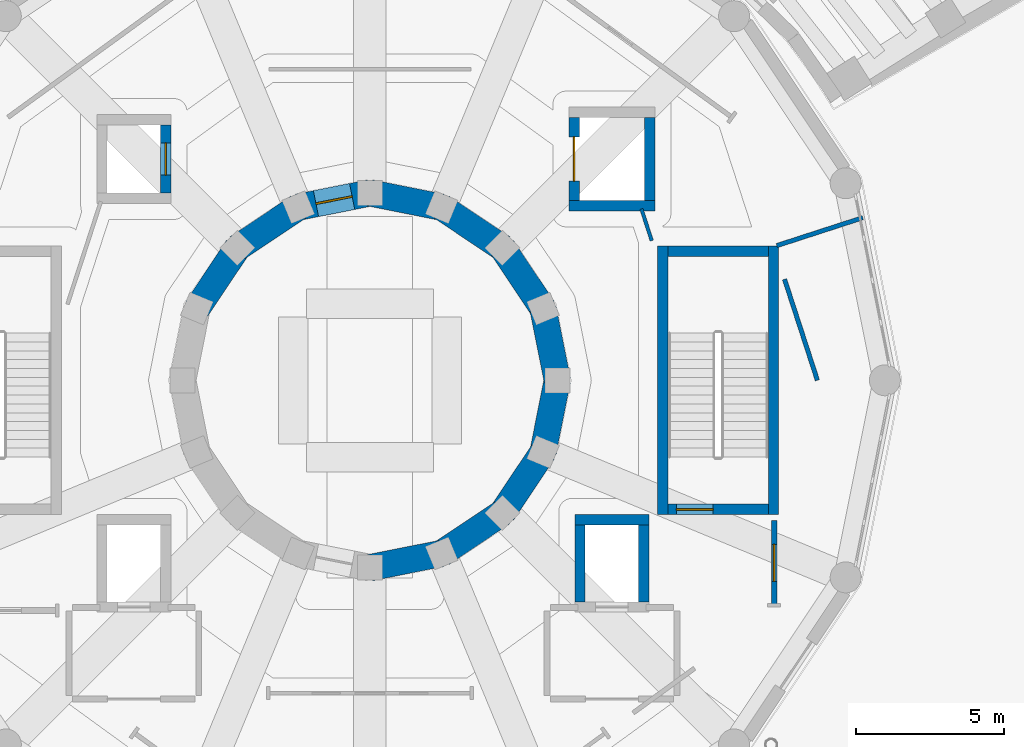
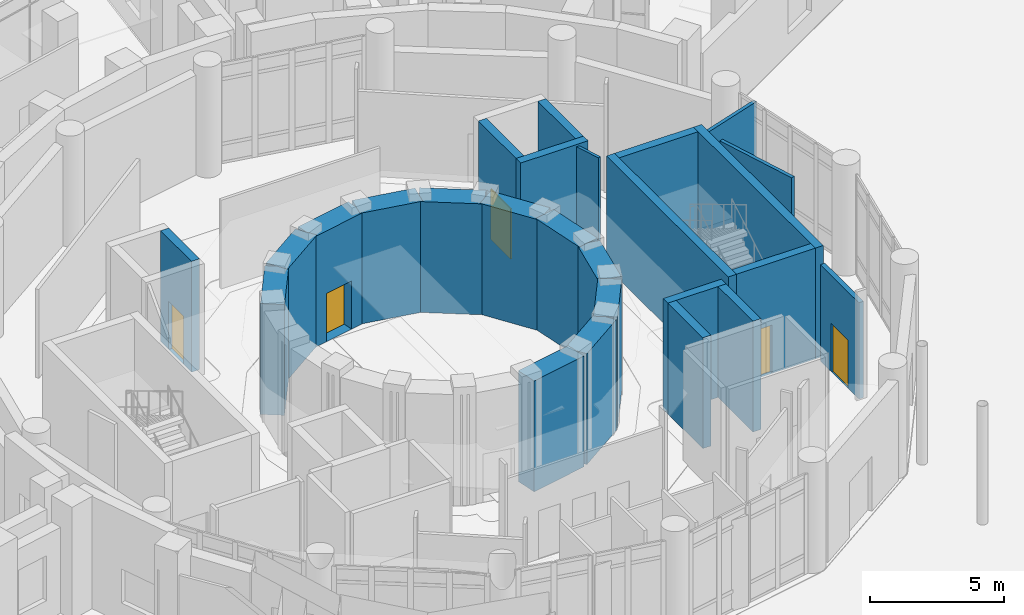
# One storey, part 45 of 74: 26 walls, 5 doors, 5 openings.
"""IFC4 building model written with IfcOpenShell, lengths in metres."""

from ifc_helpers import new_model, si_unit, direction, frame, frame_2d, origin, place, context, subcontext, project, spatial, rectangle, extrude, material, layer, layer_set, type_object, element, fill, save


model = new_model("IFC4")

# Units and contexts
model_context = context("Model", 3, precision=1e-05, world=origin(), true_north=direction((0.0, 1.0)))
body_context = subcontext(model_context, "Body", "Model", "MODEL_VIEW")
ifc_project = project(units=[si_unit("LENGTHUNIT", "METRE"), si_unit("AREAUNIT", "SQUARE_METRE"), si_unit("VOLUMEUNIT", "CUBIC_METRE"), si_unit("PLANEANGLEUNIT", "RADIAN"), si_unit("MASSUNIT", "GRAM", prefix="KILO")], contexts=[model_context])

# Site, building, storey
site_placement = place(None, origin())
site = spatial("IfcSite", under=ifc_project, at=site_placement, CompositionType="ELEMENT")
building_placement = place(site_placement, origin())
building = spatial("IfcBuilding", under=site, at=building_placement, Name="Soyqirgoq Riverine Aquarium", CompositionType="ELEMENT")
storey_placement = place(building_placement, origin())
storey = spatial("IfcBuildingStorey", under=building, at=storey_placement, Name="L01", CompositionType="ELEMENT", Elevation=0.0)

# Walls
ifc_material_1 = material(Name="Concrete C40/50", Category="concrete")
ifc_layer_1 = layer(ifc_material_1, 0.35009765625)
ifc_layer_set_1 = layer_set([ifc_layer_1], Name="Concrete C40/50")
wall_type_1 = type_object("IfcWallType", Name="CoreShearWall_350_C40", PredefinedType="SHEAR", material=ifc_layer_set_1)
wall_1_placement = place(storey_placement, frame((69.675048828125, 52.449951171875, 0.0), z_axis=(0.0, 0.0, 1.0), x_axis=(0.0, 1.0, 0.0)))
element("IfcWall", 1, at=wall_1_placement, inside=storey, type_object=wall_type_1, Name="CORE-1 L01 Stair Core Shear Wall SIDE1", PredefinedType="SHEAR", context=body_context, shape_type="SweptSolid", body=[
    extrude(rectangle(XDim=9.10009765625, YDim=0.35009765625, at=frame_2d((4.550048828125, 0.0))), origin(), (0.0, 0.0, 1.0), 5.050048828125),
])
wall_2_placement = place(storey_placement, frame((69.5, 61.375, 0.0), z_axis=(0.0, 0.0, 1.0), x_axis=(-1.0, 0.0, 0.0)))
element("IfcWall", 2, at=wall_2_placement, inside=storey, type_object=wall_type_1, Name="CORE-1 L01 Stair Core Shear Wall BACK", PredefinedType="SHEAR", context=body_context, shape_type="SweptSolid", body=[
    extrude(rectangle(XDim=3.39990234375, YDim=0.35009765625, at=frame_2d((1.699951171875, 0.0))), origin(), (0.0, 0.0, 1.0), 5.050048828125),
])
wall_3_placement = place(storey_placement, frame((65.925048828125, 61.550048828125, 0.0), z_axis=(0.0, 0.0, 1.0), x_axis=(0.0, -1.0, 0.0)))
element("IfcWall", 3, at=wall_3_placement, inside=storey, type_object=wall_type_1, Name="CORE-1 L01 Stair Core Shear Wall SIDE2", PredefinedType="SHEAR", context=body_context, shape_type="SweptSolid", body=[
    extrude(rectangle(XDim=9.10009765625, YDim=0.35009765625, at=frame_2d((4.550048828125, 0.0))), origin(), (0.0, 0.0, 1.0), 5.050048828125),
])

# Wall, opening, door
wall_4_placement = place(storey_placement, frame((66.10009765625, 52.625, 0.0), z_axis=(0.0, 0.0, 1.0), x_axis=(1.0, 0.0, 0.0)))
wall_4 = element("IfcWall", 4, at=wall_4_placement, inside=storey, type_object=wall_type_1, Name="CORE-1 L01 Stair Core Shear Wall FRONT", PredefinedType="SHEAR", context=body_context, shape_type="SweptSolid", body=[
    extrude(rectangle(XDim=3.39990234375, YDim=0.35009765625, at=frame_2d((1.699951171875, 0.0))), origin(), (0.0, 0.0, 1.0), 5.050048828125),
])
opening_1_placement = place(wall_4_placement, frame((0.280029296875, 0.0, 0.0)))
opening_1 = element("IfcOpeningElement", 5, at=opening_1_placement, cuts=wall_4, Name="Opening FD-01", PredefinedType="OPENING", context=body_context, shape_type="SweptSolid", body=[
    extrude(rectangle(XDim=1.25, YDim=2.199951171875, at=frame_2d((0.625, 1.10009765625))), frame((0.0, 0.18505859375, 0.0), z_axis=(0.0, -1.0, 0.0), x_axis=(1.0, 0.0, 0.0)), (0.0, 0.0, 1.0), 0.3701171875),
])
ifc_material_2 = material(Name="Galvanised steel fire-resisting stair door", Category="steel")
door_type_1 = type_object("IfcDoorType", Name="StairFireDoor_1250x2200_EI90", OperationType="NOTDEFINED", PredefinedType="DOOR", material=ifc_material_2)
door_1_placement = place(opening_1_placement, origin())
door_1 = element("IfcDoor", 6, at=door_1_placement, inside=storey, type_object=door_type_1, Name="DR-ST-1-L01 ST-1 L01 Fire-Rated Stairwell Door", OperationType="SINGLE_SWING_RIGHT", OverallHeight=2.199951171875, OverallWidth=1.25, PredefinedType="DOOR", context=body_context, shape_type="SweptSolid", body=[
    extrude(rectangle(XDim=1.25, YDim=2.199951171875, at=frame_2d((0.625, 1.10009765625))), frame((0.0, 0.02490234375, 0.0), z_axis=(0.0, -1.0, 0.0), x_axis=(1.0, 0.0, 0.0)), (0.0, 0.0, 1.0), 0.050048828125),
])
fill(opening_1, door_1)

# Walls
wall_5_placement = place(storey_placement, frame((65.280029296875, 49.4951171875, 0.0), z_axis=(0.0, 0.0, 1.0), x_axis=(0.0, 1.0, 0.0)))
element("IfcWall", 7, at=wall_5_placement, inside=storey, type_object=wall_type_1, Name="Lift FFL-1 Shaft Wall L01 2", PredefinedType="SHEAR", context=body_context, shape_type="SweptSolid", body=[
    extrude(rectangle(XDim=2.60986328125, YDim=0.35009765625, at=frame_2d((1.304931640625, 0.0))), origin(), (0.0, 0.0, 1.0), 5.050048828125),
])
wall_6_placement = place(storey_placement, frame((65.455078125, 52.280029296875, 0.0), z_axis=(0.0, 0.0, 1.0), x_axis=(-1.0, 0.0, 0.0)))
element("IfcWall", 8, at=wall_6_placement, inside=storey, type_object=wall_type_1, Name="Lift FFL-1 Shaft Wall L01 3", PredefinedType="SHEAR", context=body_context, shape_type="SweptSolid", body=[
    extrude(rectangle(XDim=2.510009765625, YDim=0.35009765625, at=frame_2d((1.2548828125, 0.0))), origin(), (0.0, 0.0, 1.0), 5.050048828125),
])
wall_7_placement = place(storey_placement, frame((63.1201171875, 52.10498046875, 0.0), z_axis=(0.0, 0.0, 1.0), x_axis=(0.0, -1.0, 0.0)))
element("IfcWall", 9, at=wall_7_placement, inside=storey, type_object=wall_type_1, Name="Lift FFL-1 Shaft Wall L01 4", PredefinedType="SHEAR", context=body_context, shape_type="SweptSolid", body=[
    extrude(rectangle(XDim=2.60986328125, YDim=0.35009765625, at=frame_2d((1.304931640625, 0.0))), origin(), (0.0, 0.0, 1.0), 5.050048828125),
])
wall_8_placement = place(storey_placement, frame((62.7451171875, 62.919921875, 0.0), z_axis=(0.0, 0.0, 1.0), x_axis=(1.0, 0.0, 0.0)))
element("IfcWall", 10, at=wall_8_placement, inside=storey, type_object=wall_type_1, Name="Lift GL-1 Shaft Wall L01 1", PredefinedType="SHEAR", context=body_context, shape_type="SweptSolid", body=[
    extrude(rectangle(XDim=2.909912109375, YDim=0.35009765625, at=frame_2d((1.455078125, 0.0))), origin(), (0.0, 0.0, 1.0), 5.050048828125),
])
wall_9_placement = place(storey_placement, frame((65.47998046875, 63.094970703125, 0.0), z_axis=(0.0, 0.0, 1.0), x_axis=(0.0, 1.0, 0.0)))
element("IfcWall", 11, at=wall_9_placement, inside=storey, type_object=wall_type_1, Name="Lift GL-1 Shaft Wall L01 2", PredefinedType="SHEAR", context=body_context, shape_type="SweptSolid", body=[
    extrude(rectangle(XDim=2.81005859375, YDim=0.35009765625, at=frame_2d((1.405029296875, 0.0))), origin(), (0.0, 0.0, 1.0), 5.050048828125),
])

# Wall, opening, door
wall_10_placement = place(storey_placement, frame((62.919921875, 65.905029296875, 0.0), z_axis=(0.0, 0.0, 1.0), x_axis=(0.0, -1.0, 0.0)))
wall_10 = element("IfcWall", 12, at=wall_10_placement, inside=storey, type_object=wall_type_1, Name="Lift GL-1 Shaft Wall L01 4", PredefinedType="SHEAR", context=body_context, shape_type="SweptSolid", body=[
    extrude(rectangle(XDim=2.81005859375, YDim=0.35009765625, at=frame_2d((1.405029296875, 0.0))), origin(), (0.0, 0.0, 1.0), 5.050048828125),
])
opening_2_placement = place(wall_10_placement, frame((0.655029296875, 0.0, 0.0)))
opening_2 = element("IfcOpeningElement", 13, at=opening_2_placement, cuts=wall_10, Name="Opening LD-02", PredefinedType="OPENING", context=body_context, shape_type="SweptSolid", body=[
    extrude(rectangle(XDim=1.5, YDim=2.300048828125, at=frame_2d((0.75, 1.14990234375))), frame((0.0, 0.18505859375, 0.0), z_axis=(0.0, -1.0, 0.0), x_axis=(1.0, 0.0, 0.0)), (0.0, 0.0, 1.0), 0.3701171875),
])
ifc_material_3 = material(Name="Heavy-duty stainless steel bi-parting lift landing door", Category="steel")
door_type_2 = type_object("IfcDoorType", Name="GoodsLiftLandingDoor_1500x2300", OperationType="SLIDING_TO_LEFT", PredefinedType="DOOR", material=ifc_material_3)
door_2_placement = place(opening_2_placement, origin())
door_2 = element("IfcDoor", 14, at=door_2_placement, inside=storey, type_object=door_type_2, Name="LD-GL-1-L01 Lift GL-1 L01 Sliding Landing Door", OperationType="SLIDING_TO_LEFT", OverallHeight=2.300048828125, OverallWidth=1.5, PredefinedType="DOOR", context=body_context, shape_type="SweptSolid", body=[
    extrude(rectangle(XDim=1.5, YDim=2.300048828125, at=frame_2d((0.75, 1.14990234375))), frame((0.0, 0.02490234375, 0.0), z_axis=(0.0, -1.0, 0.0), x_axis=(1.0, 0.0, 0.0)), (0.0, 0.0, 1.0), 0.050048828125),
])
fill(opening_2, door_2)

wall_11_placement = place(storey_placement, frame((49.080078125, 63.344970703125, 0.0), z_axis=(0.0, 0.0, 1.0), x_axis=(0.0, 1.0, 0.0)))
wall_11 = element("IfcWall", 15, at=wall_11_placement, inside=storey, type_object=wall_type_1, Name="Lift PL-1 Shaft Wall L01 2", PredefinedType="SHEAR", context=body_context, shape_type="SweptSolid", body=[
    extrude(rectangle(XDim=2.31005859375, YDim=0.35009765625, at=frame_2d((1.155029296875, 0.0))), origin(), (0.0, 0.0, 1.0), 5.050048828125),
])
opening_3_placement = place(wall_11_placement, frame((0.60498046875, 0.0, 0.0)))
opening_3 = element("IfcOpeningElement", 16, at=opening_3_placement, cuts=wall_11, Name="Opening LD-01", PredefinedType="OPENING", context=body_context, shape_type="SweptSolid", body=[
    extrude(rectangle(XDim=1.10009765625, YDim=2.199951171875, at=frame_2d((0.550048828125, 1.10009765625))), frame((0.0, 0.18505859375, 0.0), z_axis=(0.0, -1.0, 0.0), x_axis=(1.0, 0.0, 0.0)), (0.0, 0.0, 1.0), 0.3701171875),
])
ifc_material_4 = material(Name="Brushed stainless steel telescopic lift landing door", Category="steel")
door_type_3 = type_object("IfcDoorType", Name="LiftLandingDoor_1100x2200", OperationType="SLIDING_TO_LEFT", PredefinedType="DOOR", material=ifc_material_4)
door_3_placement = place(opening_3_placement, origin())
door_3 = element("IfcDoor", 17, at=door_3_placement, inside=storey, type_object=door_type_3, Name="LD-PL-1-L01 Lift PL-1 L01 Sliding Landing Door", OperationType="SLIDING_TO_LEFT", OverallHeight=2.199951171875, OverallWidth=1.10009765625, PredefinedType="DOOR", context=body_context, shape_type="SweptSolid", body=[
    extrude(rectangle(XDim=1.10009765625, YDim=2.199951171875, at=frame_2d((0.550048828125, 1.10009765625))), frame((0.0, 0.02490234375, 0.0), z_axis=(0.0, -1.0, 0.0), x_axis=(1.0, 0.0, 0.0)), (0.0, 0.0, 1.0), 0.050048828125),
])
fill(opening_3, door_3)

# Walls
ifc_material_5 = material(Name="Waterproof concrete C45/55", Category="concrete")
ifc_layer_2 = layer(ifc_material_5, 0.89990234375)
ifc_layer_set_2 = layer_set([ifc_layer_2], Name="Waterproof concrete C45/55")
wall_type_2 = type_object("IfcWallType", Name="OceanTankWall_900_C45", PredefinedType="SHEAR", material=ifc_layer_set_2)
wall_12_placement = place(storey_placement, frame((62.35009765625, 57.0, 0.0), z_axis=(0.0, 0.0, 1.0), x_axis=(-0.195111669554, 0.980781033872, 0.0)))
element("IfcWall", 18, at=wall_12_placement, inside=storey, type_object=wall_type_2, Name="Ocean Tank Containment Wall Segment 01 L01", PredefinedType="SHEAR", context=body_context, shape_type="SweptSolid", body=[
    extrude(rectangle(XDim=2.4775390625, YDim=0.89990234375, at=frame_2d((1.23876953125, 0.0))), origin(), (0.0, 0.0, 1.0), 5.050048828125),
])
for number, where, z_axis, x_axis, name in (
    (19, (61.86669921875, 59.429931640625, 0.0), (0.0, 0.0, 1.0), (-0.55563212942, 0.831428251117, 0.0), "Ocean Tank Containment Wall Segment 02 L01"),
    (20, (60.489990234375, 61.489990234375, 0.0), (0.0, 0.0, 1.0), (-0.831428251117, 0.55563212942, 0.0), "Ocean Tank Containment Wall Segment 03 L01"),
):
    element("IfcWall", number, at=place(storey_placement, frame(where, z_axis=z_axis, x_axis=x_axis)), inside=storey, type_object=wall_type_2, Name=name, PredefinedType="SHEAR", context=body_context, shape_type="SweptSolid", body=[
        extrude(rectangle(XDim=2.477783203125, YDim=0.89990234375, at=frame_2d((1.23876953125, 0.0))), origin(), (0.0, 0.0, 1.0), 5.050048828125),
    ])
wall_13_placement = place(storey_placement, frame((58.429931640625, 62.86669921875, 0.0), z_axis=(0.0, 0.0, 1.0), x_axis=(-0.980781033872, 0.195111669554, 0.0)))
element("IfcWall", 21, at=wall_13_placement, inside=storey, type_object=wall_type_2, Name="Ocean Tank Containment Wall Segment 04 L01", PredefinedType="SHEAR", context=body_context, shape_type="SweptSolid", body=[
    extrude(rectangle(XDim=2.4775390625, YDim=0.89990234375, at=frame_2d((1.23876953125, 0.0))), origin(), (0.0, 0.0, 1.0), 5.050048828125),
])

# Wall, opening, door
wall_14_placement = place(storey_placement, frame((56.0, 63.35009765625, 0.0), z_axis=(0.0, 0.0, 1.0), x_axis=(-0.980781033872, -0.195111669554, 0.0)))
wall_14 = element("IfcWall", 22, at=wall_14_placement, inside=storey, type_object=wall_type_2, Name="Ocean Tank Containment Wall Segment 05 L01", PredefinedType="SHEAR", context=body_context, shape_type="SweptSolid", body=[
    extrude(rectangle(XDim=2.4775390625, YDim=0.89990234375, at=frame_2d((1.23876953125, 0.0))), origin(), (0.0, 0.0, 1.0), 5.050048828125),
])
opening_4_placement = place(wall_14_placement, frame((0.61376953125, 0.0, 0.0)))
opening_4 = element("IfcOpeningElement", 23, at=opening_4_placement, cuts=wall_14, Name="Opening FD-01", PredefinedType="OPENING", context=body_context, shape_type="SweptSolid", body=[
    extrude(rectangle(XDim=1.25, YDim=2.199951171875, at=frame_2d((0.625, 1.10009765625))), frame((0.0, 0.4599609375, 0.0), z_axis=(0.0, -1.0, 0.0), x_axis=(1.0, 0.0, 0.0)), (0.0, 0.0, 1.0), 0.919921875),
])
door_4_placement = place(opening_4_placement, origin())
door_4 = element("IfcDoor", 24, at=door_4_placement, inside=storey, type_object=door_type_1, Name="DR-TUN-L01-02 Acrylic Viewing Tunnel Portal Door 02", OperationType="SLIDING_TO_LEFT", OverallHeight=2.199951171875, OverallWidth=1.25, PredefinedType="DOOR", context=body_context, shape_type="SweptSolid", body=[
    extrude(rectangle(XDim=1.25, YDim=2.199951171875, at=frame_2d((0.625, 1.10009765625))), frame((0.0, 0.02490234375, 0.0), z_axis=(0.0, -1.0, 0.0), x_axis=(1.0, 0.0, 0.0)), (0.0, 0.0, 1.0), 0.050048828125),
])
fill(opening_4, door_4)

# Walls
for number, where, z_axis, x_axis, name in (
    (25, (53.570068359375, 62.86669921875, 0.0), (0.0, 0.0, 1.0), (-0.831428251117, -0.55563212942, 0.0), "Ocean Tank Containment Wall Segment 06 L01"),
    (26, (51.510009765625, 61.489990234375, 0.0), (0.0, 0.0, 1.0), (-0.55563212942, -0.831428251117, 0.0), "Ocean Tank Containment Wall Segment 07 L01"),
):
    element("IfcWall", number, at=place(storey_placement, frame(where, z_axis=z_axis, x_axis=x_axis)), inside=storey, type_object=wall_type_2, Name=name, PredefinedType="SHEAR", context=body_context, shape_type="SweptSolid", body=[
        extrude(rectangle(XDim=2.477783203125, YDim=0.89990234375, at=frame_2d((1.23876953125, 0.0))), origin(), (0.0, 0.0, 1.0), 5.050048828125),
    ])
wall_15_placement = place(storey_placement, frame((56.0, 50.64990234375, 0.0), z_axis=(0.0, 0.0, 1.0), x_axis=(0.980781033872, 0.195111669554, 0.0)))
element("IfcWall", 27, at=wall_15_placement, inside=storey, type_object=wall_type_2, Name="Ocean Tank Containment Wall Segment 13 L01", PredefinedType="SHEAR", context=body_context, shape_type="SweptSolid", body=[
    extrude(rectangle(XDim=2.4775390625, YDim=0.89990234375, at=frame_2d((1.23876953125, 0.0))), origin(), (0.0, 0.0, 1.0), 5.050048828125),
])
for number, where, z_axis, x_axis, name in (
    (28, (58.429931640625, 51.13330078125, 0.0), (0.0, 0.0, 1.0), (0.831428251117, 0.55563212942, 0.0), "Ocean Tank Containment Wall Segment 14 L01"),
    (29, (60.489990234375, 52.510009765625, 0.0), (0.0, 0.0, 1.0), (0.55563212942, 0.831428251117, 0.0), "Ocean Tank Containment Wall Segment 15 L01"),
):
    element("IfcWall", number, at=place(storey_placement, frame(where, z_axis=z_axis, x_axis=x_axis)), inside=storey, type_object=wall_type_2, Name=name, PredefinedType="SHEAR", context=body_context, shape_type="SweptSolid", body=[
        extrude(rectangle(XDim=2.477783203125, YDim=0.89990234375, at=frame_2d((1.23876953125, 0.0))), origin(), (0.0, 0.0, 1.0), 5.050048828125),
    ])
wall_16_placement = place(storey_placement, frame((61.86669921875, 54.570068359375, 0.0), z_axis=(0.0, 0.0, 1.0), x_axis=(0.195111669554, 0.980781033872, 0.0)))
element("IfcWall", 30, at=wall_16_placement, inside=storey, type_object=wall_type_2, Name="Ocean Tank Containment Wall Segment 16 L01", PredefinedType="SHEAR", context=body_context, shape_type="SweptSolid", body=[
    extrude(rectangle(XDim=2.4775390625, YDim=0.89990234375, at=frame_2d((1.23876953125, 0.0))), origin(), (0.0, 0.0, 1.0), 5.050048828125),
])
ifc_material_6 = material(Name="Lightweight steel-stud gypsum partition", Category="steel")
ifc_layer_3 = layer(ifc_material_6, 0.1201171875)
ifc_layer_set_3 = layer_set([ifc_layer_3], Name="Lightweight steel-stud gypsum partition")
wall_type_3 = type_object("IfcWallType", Name="PartitionWall_120_Std", PredefinedType="PARTITIONING", material=ifc_layer_set_3)
wall_17_placement = place(storey_placement, frame((65.550048828125, 61.72998046875, 0.0), z_axis=(0.0, 0.0, 1.0), x_axis=(-0.309032395142, 0.951051512145, 0.0)))
element("IfcWall", 31, at=wall_17_placement, inside=storey, type_object=wall_type_3, Name="Subsea Window Alcove Partition Wall", PredefinedType="PARTITIONING", context=body_context, shape_type="SweptSolid", body=[
    extrude(rectangle(XDim=1.13134765625, YDim=0.1201171875, at=frame_2d((0.565673828125, 0.0))), origin(), (0.0, 0.0, 1.0), 4.949951171875),
])
ifc_material_7 = material(Name="Acoustic mineral-wool twin-stud partition", Category="gypsum")
ifc_layer_4 = layer(ifc_material_7, 0.14990234375)
ifc_layer_set_4 = layer_set([ifc_layer_4], Name="Acoustic mineral-wool twin-stud partition")
wall_type_4 = type_object("IfcWallType", Name="PartitionWall_150_Acoustic", PredefinedType="PARTITIONING", material=ifc_layer_set_4)
wall_18_placement = place(storey_placement, frame((70.050048828125, 60.42578125, 0.0), z_axis=(0.0, 0.0, 1.0), x_axis=(0.309000246947, -0.951061957701, 0.0)))
element("IfcWall", 32, at=wall_18_placement, inside=storey, type_object=wall_type_4, Name="Benthic Reef Viewing Gallery Partition Wall", PredefinedType="PARTITIONING", context=body_context, shape_type="SweptSolid", body=[
    extrude(rectangle(XDim=3.60205078125, YDim=0.14990234375, at=frame_2d((1.801025390625, 0.0))), origin(), (0.0, 0.0, 1.0), 4.949951171875),
])
wall_19_placement = place(storey_placement, frame((69.7890625, 61.564453125, 0.0), z_axis=(0.0, 0.0, 1.0), x_axis=(0.951056927439, 0.309015729003, 0.0)))
element("IfcWall", 33, at=wall_19_placement, inside=storey, type_object=wall_type_4, Name="Benthic Reef Viewing Gallery Partition Wall", PredefinedType="PARTITIONING", context=body_context, shape_type="SweptSolid", body=[
    extrude(rectangle(XDim=3.060791015625, YDim=0.14990234375, at=frame_2d((1.5302734375, 0.0))), origin(), (0.0, 0.0, 1.0), 4.5400390625),
])

# Wall, opening, door
ifc_material_8 = material(Name="Fire-rated calcium silicate twin-stud partition", Category="gypsum")
ifc_layer_5 = layer(ifc_material_8, 0.199951171875)
ifc_layer_set_5 = layer_set([ifc_layer_5], Name="Fire-rated calcium silicate twin-stud partition")
wall_type_5 = type_object("IfcWallType", Name="PartitionWall_200_EI90", PredefinedType="PARTITIONING", material=ifc_layer_set_5)
wall_20_placement = place(storey_placement, frame((69.699951171875, 49.380126953125, 0.0), z_axis=(0.0, 0.0, 1.0), x_axis=(0.0, 1.0, 0.0)))
wall_20 = element("IfcWall", 34, at=wall_20_placement, inside=storey, type_object=wall_type_5, Name="Stair Vestibule ST-1 and Protected Exit Passageway Fire Enclosure Wall", PredefinedType="PARTITIONING", context=body_context, shape_type="SweptSolid", body=[
    extrude(rectangle(XDim=2.869873046875, YDim=0.199951171875, at=frame_2d((1.43505859375, 0.0))), origin(), (0.0, 0.0, 1.0), 4.389892578125),
])
opening_5_placement = place(wall_20_placement, frame((0.809814453125, 0.0, 0.0)))
opening_5 = element("IfcOpeningElement", 35, at=opening_5_placement, cuts=wall_20, Name="Opening FD-01", PredefinedType="OPENING", context=body_context, shape_type="SweptSolid", body=[
    extrude(rectangle(XDim=1.25, YDim=2.199951171875, at=frame_2d((0.625, 1.10009765625))), frame((0.0, 0.10986328125, 0.0), z_axis=(0.0, -1.0, 0.0), x_axis=(1.0, 0.0, 0.0)), (0.0, 0.0, 1.0), 0.219970703125),
])
door_5_placement = place(opening_5_placement, origin())
door_5 = element("IfcDoor", 36, at=door_5_placement, inside=storey, type_object=door_type_1, Name="IDR-V1-L01-0015 Stair Vestibule ST-1 and Protected Exit Passageway Egress Fire Door", OperationType="SINGLE_SWING_LEFT", OverallHeight=2.199951171875, OverallWidth=1.25, PredefinedType="DOOR", context=body_context, shape_type="SweptSolid", body=[
    extrude(rectangle(XDim=1.25, YDim=2.199951171875, at=frame_2d((0.625, 1.10009765625))), frame((0.0, 0.02490234375, 0.0), z_axis=(0.0, -1.0, 0.0), x_axis=(1.0, 0.0, 0.0)), (0.0, 0.0, 1.0), 0.050048828125),
])
fill(opening_5, door_5)

save(model, "model.ifc")
